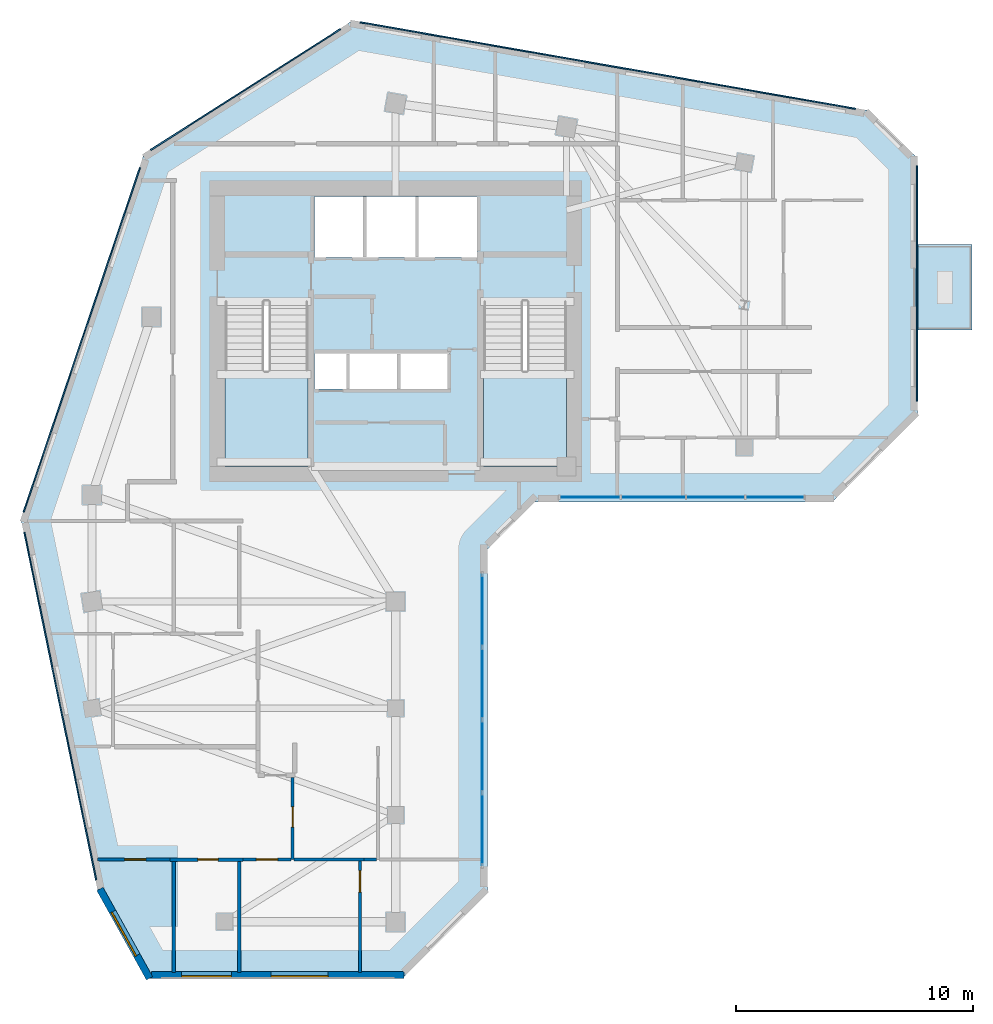
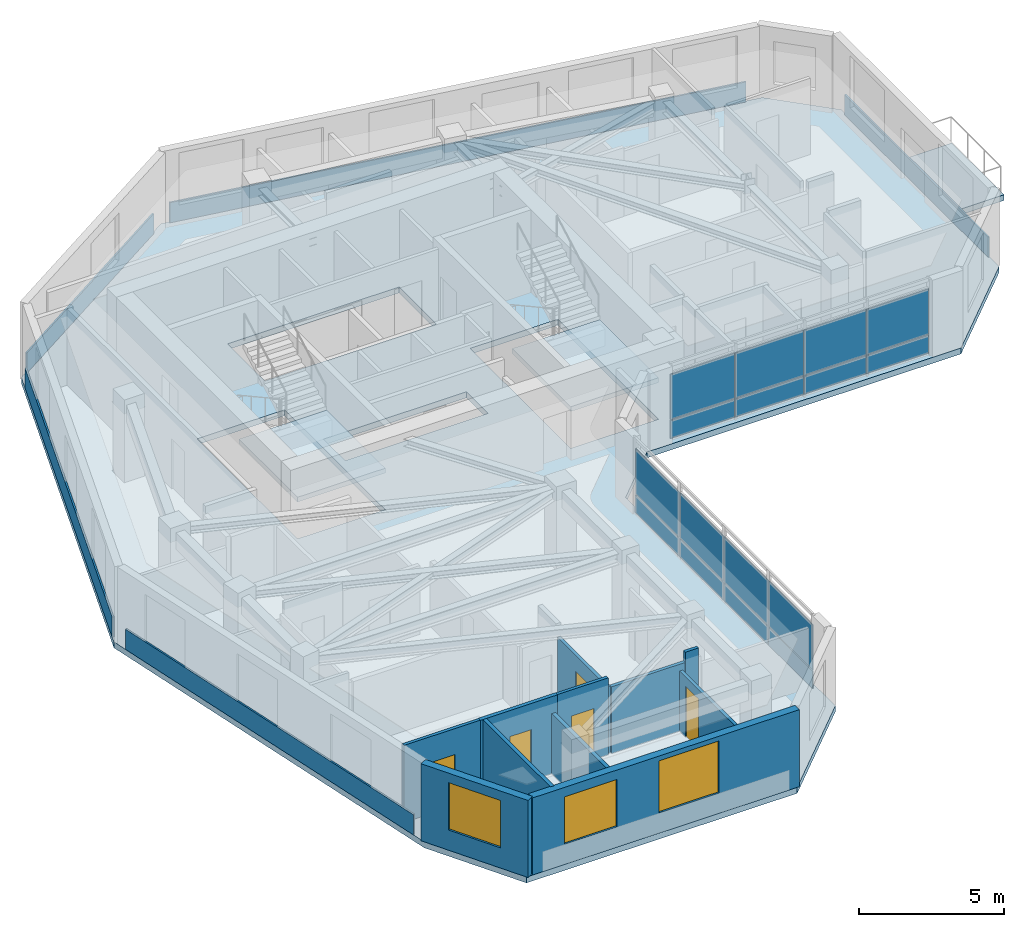
# One storey, part 3 of 10: 21 plates, 11 walls, 5 doors, 4 slabs, 3 windows, 8 openings, 4 elements without a shape of their own.
"""IFC4 building model written with IfcOpenShell, lengths in metres."""

from ifc_helpers import new_model, si_unit, direction, frame, frame_2d, origin, place, context, subcontext, project, spatial, polyline, rectangle, outline, extrude, source, transform, mapped, material, layer, layer_set, type_object, element, fill, aggregate, save


model = new_model("IFC4")

# Units and contexts
model_context = context("Model", 3, precision=1e-05, world=origin(), true_north=direction((0.0, 1.0)))
body_context = subcontext(model_context, "Body", "Model", "MODEL_VIEW")
ifc_project = project(units=[si_unit("LENGTHUNIT", "METRE"), si_unit("AREAUNIT", "SQUARE_METRE"), si_unit("VOLUMEUNIT", "CUBIC_METRE"), si_unit("PLANEANGLEUNIT", "RADIAN"), si_unit("MASSUNIT", "GRAM", prefix="KILO")], contexts=[model_context])

# Site, building, storey
site_placement = place(None, origin())
site = spatial("IfcSite", under=ifc_project, at=site_placement, CompositionType="ELEMENT")
building_placement = place(site_placement, origin())
building = spatial("IfcBuilding", under=site, at=building_placement, Name="Calvemar Wedge Station Tower", CompositionType="ELEMENT")
storey_placement = place(building_placement, frame((0.0, 0.0, 221.89990234375)))
storey = spatial("IfcBuildingStorey", under=building, at=storey_placement, Name="L56", CompositionType="ELEMENT", Elevation=221.89990234375)

# Curtain wall, plates
ifc_material_1 = material(Name="Anodised aluminium 6063-T6", Category="aluminium")
curtain_wall_type = type_object("IfcCurtainWallType", Name="CW3", PredefinedType="NOTDEFINED", material=ifc_material_1)
curtain_wall_1_placement = place(storey_placement, origin())
curtain_wall_1 = element("IfcCurtainWall", 1, at=curtain_wall_1_placement, inside=storey, type_object=curtain_wall_type, Name="Storey L56 CW3 Recessed Unitised Curtain Wall 4", PredefinedType="NOTDEFINED")
ifc_material_2 = material(Name="Low-E laminated insulated glass", Category="glass")
ifc_layer_1 = layer(ifc_material_2, 0.028076171875)
ifc_layer_set_1 = layer_set([ifc_layer_1], Name="Low-E laminated insulated glass")
plate_type_1 = type_object("IfcPlateType", Name="CW3-GLZ", PredefinedType="CURTAIN_PANEL", material=ifc_layer_set_1)
plate_1_placement = place(storey_placement, frame((27.4541015625, 17.380126953125, 0.8701171875), z_axis=(0.0, 0.0, 1.0), x_axis=(0.0, 1.0, 0.0)))
plate_1 = element("IfcPlate", 2, at=plate_1_placement, type_object=plate_type_1, Name="CW3 vision glass panel 1", PredefinedType="CURTAIN_PANEL", context=body_context, shape_type="SweptSolid", body=[
    extrude(rectangle(XDim=3.036865234375, YDim=0.028076171875, at=frame_2d((1.5185546875, 0.0))), origin(), (0.0, 0.0, 1.0), 1.909912109375),
])
plate_2_placement = place(storey_placement, frame((27.4541015625, 20.453125, 0.8701171875), z_axis=(0.0, 0.0, 1.0), x_axis=(0.0, 1.0, 0.0)))
plate_2 = element("IfcPlate", 3, at=plate_2_placement, type_object=plate_type_1, Name="CW3 vision glass panel 2", PredefinedType="CURTAIN_PANEL", context=body_context, shape_type="SweptSolid", body=[
    extrude(rectangle(XDim=3.036865234375, YDim=0.028076171875, at=frame_2d((1.5185546875, 0.0))), origin(), (0.0, 0.0, 1.0), 1.909912109375),
])
plate_3_placement = place(storey_placement, frame((27.4541015625, 23.526123046875, 0.8701171875), z_axis=(0.0, 0.0, 1.0), x_axis=(0.0, 1.0, 0.0)))
plate_3 = element("IfcPlate", 4, at=plate_3_placement, type_object=plate_type_1, Name="CW3 vision glass panel 3", PredefinedType="CURTAIN_PANEL", context=body_context, shape_type="SweptSolid", body=[
    extrude(rectangle(XDim=3.036865234375, YDim=0.028076171875, at=frame_2d((1.5185546875, 0.0))), origin(), (0.0, 0.0, 1.0), 1.909912109375),
])
plate_4_placement = place(storey_placement, frame((27.4541015625, 26.59912109375, 0.8701171875), z_axis=(0.0, 0.0, 1.0), x_axis=(0.0, 1.0, 0.0)))
plate_4 = element("IfcPlate", 5, at=plate_4_placement, type_object=plate_type_1, Name="CW3 vision glass panel 4", PredefinedType="CURTAIN_PANEL", context=body_context, shape_type="SweptSolid", body=[
    extrude(rectangle(XDim=3.036865234375, YDim=0.028076171875, at=frame_2d((1.5185546875, 0.0))), origin(), (0.0, 0.0, 1.0), 1.909912109375),
])

curtain_wall_2_placement = place(storey_placement, origin())
curtain_wall_2 = element("IfcCurtainWall", 6, at=curtain_wall_2_placement, inside=storey, type_object=curtain_wall_type, Name="Storey L56 CW3 Recessed Unitised Curtain Wall 6", PredefinedType="NOTDEFINED")
plate_5_placement = place(storey_placement, frame((30.719970703125, 32.902099609375, 0.8701171875), z_axis=(0.0, 0.0, 1.0), x_axis=(1.0, 0.0, 0.0)))
plate_5 = element("IfcPlate", 7, at=plate_5_placement, type_object=plate_type_1, Name="CW3 vision glass panel 1", PredefinedType="CURTAIN_PANEL", context=body_context, shape_type="SweptSolid", body=[
    extrude(rectangle(XDim=2.552001953125, YDim=0.028076171875, at=frame_2d((1.27587890625, 0.0))), origin(), (0.0, 0.0, 1.0), 1.909912109375),
])
plate_6_placement = place(storey_placement, frame((33.30810546875, 32.902099609375, 0.8701171875), z_axis=(0.0, 0.0, 1.0), x_axis=(1.0, 0.0, 0.0)))
plate_6 = element("IfcPlate", 8, at=plate_6_placement, type_object=plate_type_1, Name="CW3 vision glass panel 2", PredefinedType="CURTAIN_PANEL", context=body_context, shape_type="SweptSolid", body=[
    extrude(rectangle(XDim=2.7138671875, YDim=0.028076171875, at=frame_2d((1.35693359375, 0.0))), origin(), (0.0, 0.0, 1.0), 1.909912109375),
])
plate_7_placement = place(storey_placement, frame((36.05810546875, 32.902099609375, 0.8701171875), z_axis=(0.0, 0.0, 1.0), x_axis=(1.0, 0.0, 0.0)))
plate_7 = element("IfcPlate", 9, at=plate_7_placement, type_object=plate_type_1, Name="CW3 vision glass panel 3", PredefinedType="CURTAIN_PANEL", context=body_context, shape_type="SweptSolid", body=[
    extrude(rectangle(XDim=2.462890625, YDim=0.028076171875, at=frame_2d((1.2314453125, 0.0))), origin(), (0.0, 0.0, 1.0), 1.909912109375),
])
plate_8_placement = place(storey_placement, frame((38.556884765625, 32.902099609375, 0.8701171875), z_axis=(0.0, 0.0, 1.0), x_axis=(1.0, 0.0, 0.0)))
plate_8 = element("IfcPlate", 10, at=plate_8_placement, type_object=plate_type_1, Name="CW3 vision glass panel 4", PredefinedType="CURTAIN_PANEL", context=body_context, shape_type="SweptSolid", body=[
    extrude(rectangle(XDim=2.463134765625, YDim=0.028076171875, at=frame_2d((1.2314453125, 0.0))), origin(), (0.0, 0.0, 1.0), 1.909912109375),
])

# Plate
ifc_material_3 = material(Name="Oxidized bronze aluminium spandrel panel 5005-H24", Category="aluminium")
ifc_layer_2 = layer(ifc_material_3, 0.0400390625)
ifc_layer_set_2 = layer_set([ifc_layer_2], Name="Oxidized bronze aluminium spandrel panel 5005-H24")
plate_type_2 = type_object("IfcPlateType", Name="CW3-SPD", PredefinedType="SHEET", material=ifc_layer_set_2)
plate_9_placement = place(storey_placement, frame((27.4541015625, 17.380126953125, 0.080078125), z_axis=(0.0, 0.0, 1.0), x_axis=(0.0, 1.0, 0.0)))
plate_9 = element("IfcPlate", 11, at=plate_9_placement, type_object=plate_type_2, Name="CW3 bronze spandrel panel 1", PredefinedType="SHEET", context=body_context, shape_type="SweptSolid", body=[
    extrude(rectangle(XDim=3.036865234375, YDim=0.0400390625, at=frame_2d((1.5185546875, 0.0))), origin(), (0.0, 0.0, 1.0), 0.75),
])

plate_10_placement = place(storey_placement, frame((27.4541015625, 20.453125, 0.080078125), z_axis=(0.0, 0.0, 1.0), x_axis=(0.0, 1.0, 0.0)))
plate_10 = element("IfcPlate", 12, at=plate_10_placement, type_object=plate_type_2, Name="CW3 bronze spandrel panel 2", PredefinedType="SHEET", context=body_context, shape_type="SweptSolid", body=[
    extrude(rectangle(XDim=3.036865234375, YDim=0.0400390625, at=frame_2d((1.5185546875, 0.0))), origin(), (0.0, 0.0, 1.0), 0.75),
])

plate_11_placement = place(storey_placement, frame((27.4541015625, 23.526123046875, 0.080078125), z_axis=(0.0, 0.0, 1.0), x_axis=(0.0, 1.0, 0.0)))
plate_11 = element("IfcPlate", 13, at=plate_11_placement, type_object=plate_type_2, Name="CW3 bronze spandrel panel 3", PredefinedType="SHEET", context=body_context, shape_type="SweptSolid", body=[
    extrude(rectangle(XDim=3.036865234375, YDim=0.0400390625, at=frame_2d((1.5185546875, 0.0))), origin(), (0.0, 0.0, 1.0), 0.75),
])

plate_12_placement = place(storey_placement, frame((27.4541015625, 26.59912109375, 0.080078125), z_axis=(0.0, 0.0, 1.0), x_axis=(0.0, 1.0, 0.0)))
plate_12 = element("IfcPlate", 14, at=plate_12_placement, type_object=plate_type_2, Name="CW3 bronze spandrel panel 4", PredefinedType="SHEET", context=body_context, shape_type="SweptSolid", body=[
    extrude(rectangle(XDim=3.036865234375, YDim=0.0400390625, at=frame_2d((1.5185546875, 0.0))), origin(), (0.0, 0.0, 1.0), 0.75),
])

aggregate(curtain_wall_1, [plate_9, plate_1, plate_10, plate_2, plate_11, plate_3, plate_12, plate_4])

plate_13_placement = place(storey_placement, frame((30.719970703125, 32.902099609375, 0.080078125), z_axis=(0.0, 0.0, 1.0), x_axis=(1.0, 0.0, 0.0)))
plate_13 = element("IfcPlate", 15, at=plate_13_placement, type_object=plate_type_2, Name="CW3 bronze spandrel panel 1", PredefinedType="SHEET", context=body_context, shape_type="SweptSolid", body=[
    extrude(rectangle(XDim=2.552001953125, YDim=0.0400390625, at=frame_2d((1.27587890625, 0.0))), origin(), (0.0, 0.0, 1.0), 0.75),
])

plate_14_placement = place(storey_placement, frame((33.30810546875, 32.902099609375, 0.080078125), z_axis=(0.0, 0.0, 1.0), x_axis=(1.0, 0.0, 0.0)))
plate_14 = element("IfcPlate", 16, at=plate_14_placement, type_object=plate_type_2, Name="CW3 bronze spandrel panel 2", PredefinedType="SHEET", context=body_context, shape_type="SweptSolid", body=[
    extrude(rectangle(XDim=2.7138671875, YDim=0.0400390625, at=frame_2d((1.35693359375, 0.0))), origin(), (0.0, 0.0, 1.0), 0.75),
])

plate_15_placement = place(storey_placement, frame((36.05810546875, 32.902099609375, 0.080078125), z_axis=(0.0, 0.0, 1.0), x_axis=(1.0, 0.0, 0.0)))
plate_15 = element("IfcPlate", 17, at=plate_15_placement, type_object=plate_type_2, Name="CW3 bronze spandrel panel 3", PredefinedType="SHEET", context=body_context, shape_type="SweptSolid", body=[
    extrude(rectangle(XDim=2.462890625, YDim=0.0400390625, at=frame_2d((1.2314453125, 0.0))), origin(), (0.0, 0.0, 1.0), 0.75),
])

plate_16_placement = place(storey_placement, frame((38.556884765625, 32.902099609375, 0.080078125), z_axis=(0.0, 0.0, 1.0), x_axis=(1.0, 0.0, 0.0)))
plate_16 = element("IfcPlate", 18, at=plate_16_placement, type_object=plate_type_2, Name="CW3 bronze spandrel panel 4", PredefinedType="SHEET", context=body_context, shape_type="SweptSolid", body=[
    extrude(rectangle(XDim=2.463134765625, YDim=0.0400390625, at=frame_2d((1.2314453125, 0.0))), origin(), (0.0, 0.0, 1.0), 0.75),
])

aggregate(curtain_wall_2, [plate_13, plate_5, plate_14, plate_6, plate_15, plate_7, plate_16, plate_8])

# Plates
ifc_material_4 = material(Name="Precast concrete C45", Category="concrete")
ifc_layer_3 = layer(ifc_material_4, 0.06494140625)
ifc_layer_set_3 = layer_set([ifc_layer_3], Name="Precast concrete C45")
plate_type_3 = type_object("IfcPlateType", Name="PL-GFRC-FIN", PredefinedType="USERDEFINED", material=ifc_layer_set_3)
plate_17_placement = place(storey_placement, frame((45.77001953125, 36.94921875, 0.0), z_axis=(0.0, 0.0, 1.0), x_axis=(0.0, 1.0, 0.0)))
element("IfcPlate", 19, at=plate_17_placement, inside=storey, type_object=plate_type_3, Name="Storey L56 Oxidized-Bronze GFRC Spandrel Cladding 8", ObjectType="CLADDING PANEL", PredefinedType="USERDEFINED", context=body_context, shape_type="SweptSolid", body=[
    extrude(rectangle(XDim=9.9306640625, YDim=0.06494140625, at=frame_2d((4.96533203125, 0.0))), origin(), (0.0, 0.0, 1.0), 0.85009765625),
])
plate_18_placement = place(storey_placement, frame((43.18798828125, 49.268310546875, 0.0), z_axis=(0.0, 0.0, 1.0), x_axis=(-0.985082617158, 0.172082065807, 0.0)))
element("IfcPlate", 20, at=plate_18_placement, inside=storey, type_object=plate_type_3, Name="Storey L56 Oxidized-Bronze GFRC Spandrel Cladding 10", ObjectType="CLADDING PANEL", PredefinedType="USERDEFINED", context=body_context, shape_type="SweptSolid", body=[
    extrude(rectangle(XDim=21.2060546875, YDim=0.06494140625, at=frame_2d((10.60302734375, 0.0))), origin(), (0.0, 0.0, 1.0), 0.85009765625),
])
plate_19_placement = place(storey_placement, frame((21.471923828125, 52.62841796875, 0.0), z_axis=(0.0, 0.0, 1.0), x_axis=(-0.843661487732, -0.536875492193, 0.0)))
element("IfcPlate", 21, at=plate_19_placement, inside=storey, type_object=plate_type_3, Name="Storey L56 Oxidized-Bronze GFRC Spandrel Cladding 11", ObjectType="CLADDING PANEL", PredefinedType="USERDEFINED", context=body_context, shape_type="SweptSolid", body=[
    extrude(rectangle(XDim=9.482666015625, YDim=0.06494140625, at=frame_2d((4.7412109375, 0.0))), origin(), (0.0, 0.0, 1.0), 0.85009765625),
])
plate_20_placement = place(storey_placement, frame((13.02685546875, 46.793212890625, 0.0), z_axis=(0.0, 0.0, 1.0), x_axis=(-0.319927299225, -0.947442094912, 0.0)))
element("IfcPlate", 22, at=plate_20_placement, inside=storey, type_object=plate_type_3, Name="Storey L56 Oxidized-Bronze GFRC Spandrel Cladding 12", ObjectType="CLADDING PANEL", PredefinedType="USERDEFINED", context=body_context, shape_type="SweptSolid", body=[
    extrude(rectangle(XDim=15.333251953125, YDim=0.06494140625, at=frame_2d((7.66650390625, 0.0))), origin(), (0.0, 0.0, 1.0), 0.85009765625),
])
plate_21_placement = place(storey_placement, frame((8.15087890625, 31.41796875, 0.0), z_axis=(0.0, 0.0, 1.0), x_axis=(0.202320768525, -0.979319307797, 0.0)))
element("IfcPlate", 23, at=plate_21_placement, inside=storey, type_object=plate_type_3, Name="Storey L56 Oxidized-Bronze GFRC Spandrel Cladding 13", ObjectType="CLADDING PANEL", PredefinedType="USERDEFINED", context=body_context, shape_type="SweptSolid", body=[
    extrude(rectangle(XDim=14.965576171875, YDim=0.06494140625, at=frame_2d((7.48291015625, 0.0))), origin(), (0.0, 0.0, 1.0), 0.85009765625),
])

# Stair, slab
ifc_material_5 = material(Name="Concrete C45", Category="concrete")
stair_type = type_object("IfcStairType", Name="ST-TYPE-3500", PredefinedType="HALF_TURN_STAIR", material=ifc_material_5)
stair_1_placement = place(storey_placement, origin())
stair_1 = element("IfcStair", 24, at=stair_1_placement, inside=storey, type_object=stair_type, Name="L56 Pressurized Core Exit Stair ST-C1", PredefinedType="HALF_TURN_STAIR")
ifc_layer_4 = layer(ifc_material_5, 0.199951171875)
ifc_layer_set_4 = layer_set([ifc_layer_4], Name="Concrete C45")
slab_type_1 = type_object("IfcSlabType", Name="SL-STAIR-LND-200", PredefinedType="LANDING", material=ifc_layer_set_4)
slab_1_placement = place(storey_placement, frame((0.0, 0.0, 1.550048828125)))
slab_1 = element("IfcSlab", 25, at=slab_1_placement, type_object=slab_type_1, Name="ST-C1 landing 1", PredefinedType="LANDING", context=body_context, shape_type="SweptSolid", body=[
    extrude(outline(polyline([(16.60009765625, 38.25), (16.60009765625, 34.199951171875), (20.10009765625, 34.199951171875), (20.10009765625, 38.25), (16.60009765625, 38.25)])), origin(), (0.0, 0.0, 1.0), 0.199951171875),
])
aggregate(stair_1, [slab_1])

stair_2_placement = place(storey_placement, origin())
stair_2 = element("IfcStair", 26, at=stair_2_placement, inside=storey, type_object=stair_type, Name="L56 Pressurized Core Exit Stair ST-C2", PredefinedType="HALF_TURN_STAIR")
slab_2_placement = place(storey_placement, frame((0.0, 0.0, 1.550048828125)))
slab_2 = element("IfcSlab", 27, at=slab_2_placement, type_object=slab_type_1, Name="ST-C2 landing 1", PredefinedType="LANDING", context=body_context, shape_type="SweptSolid", body=[
    extrude(outline(polyline([(27.5, 38.25), (27.5, 34.199951171875), (31.0, 34.199951171875), (31.0, 38.25), (27.5, 38.25)])), origin(), (0.0, 0.0, 1.0), 0.199951171875),
])
aggregate(stair_2, [slab_2])

# Slabs
ifc_layer_5 = layer(ifc_material_5, 0.239990234375)
ifc_layer_set_5 = layer_set([ifc_layer_5], Name="Concrete C45")
slab_type_2 = type_object("IfcSlabType", Name="SL-TERR-240", PredefinedType="FLOOR", material=ifc_layer_set_5)
slab_3_placement = place(storey_placement, frame((0.0, 0.0, -0.239990234375)))
element("IfcSlab", 28, at=slab_3_placement, inside=storey, type_object=slab_type_2, Name="Storey L56 Planted Spiral Terrace Slab", PredefinedType="FLOOR", context=body_context, shape_type="SweptSolid", body=[
    extrude(outline(polyline([(45.800048828125, 39.94189453125), (48.10009765625, 39.94189453125), (48.10009765625, 43.5419921875), (45.800048828125, 43.5419921875), (45.800048828125, 39.94189453125)])), origin(), (0.0, 0.0, 1.0), 0.239990234375),
])
ifc_material_6 = material(Name="Concrete C50", Category="concrete")
ifc_layer_6 = layer(ifc_material_6, 0.25)
ifc_layer_set_6 = layer_set([ifc_layer_6], Name="Concrete C50")
slab_type_3 = type_object("IfcSlabType", Name="SL-TYP-250", PredefinedType="FLOOR", material=ifc_layer_set_6)
slab_4_placement = place(storey_placement, frame((0.0, 0.0, -0.25)))
element("IfcSlab", 29, at=slab_4_placement, inside=storey, type_object=slab_type_3, Name="Storey L56 Structural Floor Slab", PredefinedType="FLOOR", context=body_context, shape_type="SweptSolid", body=[
    extrude(outline(polyline([(8.0, 32.0), (11.263916015625, 16.199951171875), (13.263916015625, 12.60009765625), (24.06396484375, 12.60009765625), (27.6640625, 16.199951171875), (27.6640625, 30.69189453125), (29.6640625, 32.69189453125), (42.199951171875, 32.69189453125), (45.800048828125, 36.2919921875), (45.800048828125, 47.19189453125), (43.800048828125, 49.19189453125), (22.0, 53.0), (13.199951171875, 47.39990234375), (8.0, 32.0)]), holes=[polyline([(20.10009765625, 34.199951171875), (20.10009765625, 41.14990234375), (16.60009765625, 41.14990234375), (16.60009765625, 34.199951171875), (20.10009765625, 34.199951171875)]), polyline([(27.5, 34.199951171875), (31.0, 34.199951171875), (31.0, 41.14990234375), (27.5, 41.14990234375), (27.5, 34.199951171875)]), polyline([(21.800048828125, 37.449951171875), (23.929931640625, 37.449951171875), (23.93994140625, 37.449951171875), (26.080078125, 37.449951171875), (26.080078125, 38.949951171875), (23.93994140625, 38.949951171875), (23.929931640625, 38.949951171875), (21.800048828125, 38.949951171875), (21.7900390625, 38.949951171875), (20.3798828125, 38.949951171875), (20.3798828125, 37.449951171875), (21.7900390625, 37.449951171875), (21.800048828125, 37.449951171875)]), polyline([(27.219970703125, 43.0), (27.219970703125, 45.580078125), (20.3798828125, 45.580078125), (20.3798828125, 43.0), (27.219970703125, 43.0)])]), origin(), (0.0, 0.0, 1.0), 0.25),
])

# Wall, opening, window
ifc_layer_7 = layer(ifc_material_4, 0.300048828125)
ifc_layer_set_7 = layer_set([ifc_layer_7], Name="Precast concrete C45")
wall_type_1 = type_object("IfcWallType", Name="W-EXT-GFRC-300", PredefinedType="SOLIDWALL", material=ifc_layer_set_7)
wall_1_placement = place(storey_placement, frame((11.33349609375, 16.3837890625, 0.0), z_axis=(0.0, 0.0, 1.0), x_axis=(0.485633305139, -0.874162623852, 0.0)))
wall_1 = element("IfcWall", 30, at=wall_1_placement, inside=storey, type_object=wall_type_1, Name="Storey L56 Bronze GFRC Exterior Wall 1", PredefinedType="SOLIDWALL", context=body_context, shape_type="SweptSolid", body=[
    extrude(rectangle(XDim=4.306884765625, YDim=0.300048828125, at=frame_2d((2.1533203125, 0.0))), origin(), (0.0, 0.0, 1.0), 3.25),
])
shared_shape_1 = source(origin(), body_context, "Body", "SweptSolid", [
    extrude(rectangle(XDim=2.10009765625, YDim=2.0, at=frame_2d((1.050048828125, 1.0))), frame((0.0, 0.16015625, 0.0), z_axis=(0.0, -1.0, 0.0), x_axis=(1.0, 0.0, 0.0)), (0.0, 0.0, 1.0), 0.320068359375),
])
opening_1_placement = place(wall_1_placement, frame((1.10400390625, 0.0, 0.85009765625)))
opening_1 = element("IfcOpeningElement", 31, at=opening_1_placement, cuts=wall_1, Name="Opening W4", PredefinedType="OPENING", context=body_context, shape_type="MappedRepresentation", body=[
    mapped(shared_shape_1, transform((0.0, 0.0, 0.0), scale=1.0)),
])
window_type_1 = type_object("IfcWindowType", Name="WIN-EXT-4", PartitioningType="SINGLE_PANEL", PredefinedType="WINDOW", material=ifc_material_2)
shared_shape_2 = source(origin(), body_context, "Body", "SweptSolid", [
    extrude(rectangle(XDim=2.10009765625, YDim=2.0, at=frame_2d((1.050048828125, 1.0))), frame((0.0, -0.014892578125, 0.0), z_axis=(0.0, -1.0, 0.0), x_axis=(1.0, 0.0, 0.0)), (0.0, 0.0, 1.0), 0.06005859375),
])
window_1_placement = place(opening_1_placement, origin())
window_1 = element("IfcWindow", 32, at=window_1_placement, inside=storey, type_object=window_type_1, Name="Storey L56 Recessed Window 1.1", OverallHeight=2.0, OverallWidth=2.10009765625, PartitioningType="SINGLE_PANEL", PredefinedType="WINDOW", context=body_context, shape_type="MappedRepresentation", body=[
    mapped(shared_shape_2, transform((0.0, 0.0, 0.0), scale=1.0)),
])
fill(opening_1, window_1)

# Wall, openings, windows
wall_2_placement = place(storey_placement, frame((13.510009765625, 12.75, 0.0), z_axis=(0.0, 0.0, 1.0), x_axis=(1.0, 0.0, 0.0)))
wall_2 = element("IfcWall", 33, at=wall_2_placement, inside=storey, type_object=wall_type_1, Name="Storey L56 Bronze GFRC Exterior Wall 2", PredefinedType="SOLIDWALL", context=body_context, shape_type="SweptSolid", body=[
    extrude(rectangle(XDim=10.641845703125, YDim=0.300048828125, at=frame_2d((5.32080078125, 0.0))), origin(), (0.0, 0.0, 1.0), 3.25),
])
opening_2_placement = place(wall_2_placement, frame((1.264892578125, 0.0, 0.85009765625)))
opening_2 = element("IfcOpeningElement", 34, at=opening_2_placement, cuts=wall_2, Name="Opening W4", PredefinedType="OPENING", context=body_context, shape_type="MappedRepresentation", body=[
    mapped(shared_shape_1, transform((0.0, 0.0, 0.0), scale=1.0)),
])
shared_shape_3 = source(origin(), body_context, "Body", "SweptSolid", [
    extrude(rectangle(XDim=2.39990234375, YDim=2.199951171875, at=frame_2d((1.199951171875, 1.10009765625))), frame((0.0, 0.16015625, 0.0), z_axis=(0.0, -1.0, 0.0), x_axis=(1.0, 0.0, 0.0)), (0.0, 0.0, 1.0), 0.320068359375),
])
opening_3_placement = place(wall_2_placement, frame((5.0400390625, 0.0, 0.85009765625)))
opening_3 = element("IfcOpeningElement", 35, at=opening_3_placement, cuts=wall_2, Name="Opening W1", PredefinedType="OPENING", context=body_context, shape_type="MappedRepresentation", body=[
    mapped(shared_shape_3, transform((0.0, 0.0, 0.0), scale=1.0)),
])
window_2_placement = place(opening_2_placement, origin())
window_2 = element("IfcWindow", 36, at=window_2_placement, inside=storey, type_object=window_type_1, Name="Storey L56 Recessed Window 2.1", OverallHeight=2.0, OverallWidth=2.10009765625, PartitioningType="SINGLE_PANEL", PredefinedType="WINDOW", context=body_context, shape_type="MappedRepresentation", body=[
    mapped(shared_shape_2, transform((0.0, 0.0, 0.0), scale=1.0)),
])
fill(opening_2, window_2)
window_type_2 = type_object("IfcWindowType", Name="WIN-EXT-1", PartitioningType="SINGLE_PANEL", PredefinedType="WINDOW", material=ifc_material_2)
shared_shape_4 = source(origin(), body_context, "Body", "SweptSolid", [
    extrude(rectangle(XDim=2.39990234375, YDim=2.199951171875, at=frame_2d((1.199951171875, 1.10009765625))), frame((0.0, -0.014892578125, 0.0), z_axis=(0.0, -1.0, 0.0), x_axis=(1.0, 0.0, 0.0)), (0.0, 0.0, 1.0), 0.06005859375),
])
window_3_placement = place(opening_3_placement, origin())
window_3 = element("IfcWindow", 37, at=window_3_placement, inside=storey, type_object=window_type_2, Name="Storey L56 Recessed Window 2.2", OverallHeight=2.199951171875, OverallWidth=2.39990234375, PartitioningType="SINGLE_PANEL", PredefinedType="WINDOW", context=body_context, shape_type="MappedRepresentation", body=[
    mapped(shared_shape_4, transform((0.0, 0.0, 0.0), scale=1.0)),
])
fill(opening_3, window_3)

# Wall, opening, door
ifc_material_7 = material(Name="Insulated acoustic gypsum stud partition")
ifc_layer_8 = layer(ifc_material_7, 0.125)
ifc_layer_set_8 = layer_set([ifc_layer_8], Name="Insulated acoustic gypsum stud partition")
wall_type_2 = type_object("IfcWallType", Name="W-PART-125", PredefinedType="PARTITIONING", material=ifc_layer_set_8)
wall_3_placement = place(storey_placement, frame((19.45703125, 21.089111328125, 0.0), z_axis=(0.0, 0.0, 1.0), x_axis=(0.0, -1.0, 0.0)))
wall_3 = element("IfcWall", 38, at=wall_3_placement, inside=storey, type_object=wall_type_2, Name="Storey L56 Interior Partition WL-L56-055", PredefinedType="PARTITIONING", context=body_context, shape_type="SweptSolid", body=[
    extrude(rectangle(XDim=3.465087890625, YDim=0.125, at=frame_2d((1.732421875, 0.0))), origin(), (0.0, 0.0, 1.0), 2.822021484375),
])
shared_shape_5 = source(origin(), body_context, "Body", "SweptSolid", [
    extrude(rectangle(XDim=0.85009765625, YDim=2.14990234375, at=frame_2d((0.425048828125, 1.074951171875))), frame((0.0, 0.072509765625, 0.0), z_axis=(0.0, -1.0, 0.0), x_axis=(1.0, 0.0, 0.0)), (0.0, 0.0, 1.0), 0.14501953125),
])
opening_4_placement = place(wall_3_placement, frame((1.2470703125, 0.0, 0.0)))
opening_4 = element("IfcOpeningElement", 39, at=opening_4_placement, cuts=wall_3, Name="Opening D-02", PredefinedType="OPENING", context=body_context, shape_type="MappedRepresentation", body=[
    mapped(shared_shape_5, transform((0.0, 0.0, 0.0), scale=1.0)),
])
ifc_material_8 = material(Name="Moisture-sealed bathroom hardwood swing door", Category="wood")
door_type_1 = type_object("IfcDoorType", Name="DR-WET-850", OperationType="NOTDEFINED", PredefinedType="DOOR", material=ifc_material_8)
shared_shape_6 = source(origin(), body_context, "Body", "SweptSolid", [
    extrude(rectangle(XDim=0.85009765625, YDim=2.14990234375, at=frame_2d((0.425048828125, 1.074951171875))), frame((0.0, 0.02490234375, 0.0), z_axis=(0.0, -1.0, 0.0), x_axis=(1.0, 0.0, 0.0)), (0.0, 0.0, 1.0), 0.050048828125),
])
door_1_placement = place(opening_4_placement, origin())
door_1 = element("IfcDoor", 40, at=door_1_placement, inside=storey, type_object=door_type_1, Name="L56 Kitchen Door", OperationType="SINGLE_SWING_LEFT", OverallHeight=2.14990234375, OverallWidth=0.85009765625, PredefinedType="DOOR", context=body_context, shape_type="MappedRepresentation", body=[
    mapped(shared_shape_6, transform((0.0, 0.0, 0.0), scale=1.0)),
])
fill(opening_4, door_1)

wall_4_placement = place(storey_placement, frame((14.2880859375, 17.6240234375, 0.0), z_axis=(0.0, 0.0, 1.0), x_axis=(-1.0, 0.0, 0.0)))
wall_4 = element("IfcWall", 41, at=wall_4_placement, inside=storey, type_object=wall_type_2, Name="Storey L56 Interior Partition WL-L56-057", PredefinedType="PARTITIONING", context=body_context, shape_type="SweptSolid", body=[
    extrude(rectangle(XDim=3.047607421875, YDim=0.125, at=frame_2d((1.52392578125, 0.0))), origin(), (0.0, 0.0, 1.0), 3.25),
])
shared_shape_7 = source(origin(), body_context, "Body", "SweptSolid", [
    extrude(rectangle(XDim=0.89990234375, YDim=2.14990234375, at=frame_2d((0.449951171875, 1.074951171875))), frame((0.0, 0.072509765625, 0.0), z_axis=(0.0, -1.0, 0.0), x_axis=(1.0, 0.0, 0.0)), (0.0, 0.0, 1.0), 0.14501953125),
])
opening_5_placement = place(wall_4_placement, frame((1.0126953125, 0.0, 0.0)))
opening_5 = element("IfcOpeningElement", 42, at=opening_5_placement, cuts=wall_4, Name="Opening D-01", PredefinedType="OPENING", context=body_context, shape_type="MappedRepresentation", body=[
    mapped(shared_shape_7, transform((0.0, 0.0, 0.0), scale=1.0)),
])
ifc_material_9 = material(Name="Architectural hardwood acoustic swing door", Category="wood")
door_type_2 = type_object("IfcDoorType", Name="DR-INT-900", OperationType="NOTDEFINED", PredefinedType="DOOR", material=ifc_material_9)
shared_shape_8 = source(origin(), body_context, "Body", "SweptSolid", [
    extrude(rectangle(XDim=0.89990234375, YDim=2.14990234375, at=frame_2d((0.449951171875, 1.074951171875))), frame((0.0, 0.02490234375, 0.0), z_axis=(0.0, -1.0, 0.0), x_axis=(1.0, 0.0, 0.0)), (0.0, 0.0, 1.0), 0.050048828125),
])
door_2_placement = place(opening_5_placement, origin())
door_2 = element("IfcDoor", 43, at=door_2_placement, inside=storey, type_object=door_type_2, Name="L56 Bedroom Door", OperationType="SINGLE_SWING_LEFT", OverallHeight=2.14990234375, OverallWidth=0.89990234375, PredefinedType="DOOR", context=body_context, shape_type="MappedRepresentation", body=[
    mapped(shared_shape_8, transform((0.0, 0.0, 0.0), scale=1.0)),
])
fill(opening_5, door_2)

wall_5_placement = place(storey_placement, frame((19.390380859375, 17.6240234375, 0.0), z_axis=(0.0, 0.0, 1.0), x_axis=(-1.0, 0.0, 0.0)))
wall_5 = element("IfcWall", 44, at=wall_5_placement, inside=storey, type_object=wall_type_2, Name="Storey L56 Interior Partition WL-L56-058", PredefinedType="PARTITIONING", context=body_context, shape_type="SweptSolid", body=[
    extrude(rectangle(XDim=2.0283203125, YDim=0.125, at=frame_2d((1.01416015625, 0.0))), origin(), (0.0, 0.0, 1.0), 3.25),
])
opening_6_placement = place(wall_5_placement, frame((0.564208984375, 0.0, 0.0)))
opening_6 = element("IfcOpeningElement", 45, at=opening_6_placement, cuts=wall_5, Name="Opening D-01", PredefinedType="OPENING", context=body_context, shape_type="MappedRepresentation", body=[
    mapped(shared_shape_7, transform((0.0, 0.0, 0.0), scale=1.0)),
])
door_3_placement = place(opening_6_placement, origin())
door_3 = element("IfcDoor", 46, at=door_3_placement, inside=storey, type_object=door_type_2, Name="L56 Master Bedroom Door", OperationType="SINGLE_SWING_RIGHT", OverallHeight=2.14990234375, OverallWidth=0.89990234375, PredefinedType="DOOR", context=body_context, shape_type="MappedRepresentation", body=[
    mapped(shared_shape_8, transform((0.0, 0.0, 0.0), scale=1.0)),
])
fill(opening_6, door_3)

# Walls
wall_6_placement = place(storey_placement, frame((22.4599609375, 17.6240234375, 0.0), z_axis=(0.0, 0.0, 1.0), x_axis=(-1.0, 0.0, 0.0)))
element("IfcWall", 47, at=wall_6_placement, inside=storey, type_object=wall_type_2, Name="Storey L56 Interior Partition WL-L56-059", PredefinedType="PARTITIONING", context=body_context, shape_type="SweptSolid", body=[
    extrude(rectangle(XDim=2.9365234375, YDim=0.125, at=frame_2d((1.46826171875, 0.0))), origin(), (0.0, 0.0, 1.0), 2.822021484375),
])
wall_7_placement = place(storey_placement, frame((22.990478515625, 17.6240234375, 0.0), z_axis=(0.0, 0.0, 1.0), x_axis=(-1.0, 0.0, 0.0)))
element("IfcWall", 48, at=wall_7_placement, inside=storey, type_object=wall_type_2, Name="Storey L56 Interior Partition WL-L56-060", PredefinedType="PARTITIONING", context=body_context, shape_type="SweptSolid", body=[
    extrude(rectangle(XDim=0.528564453125, YDim=0.125, at=frame_2d((0.26416015625, 0.0))), origin(), (0.0, 0.0, 1.0), 3.25),
])

# Wall, opening, door
wall_8_placement = place(storey_placement, frame((22.300048828125, 17.5576171875, 0.0), z_axis=(0.0, 0.0, 1.0), x_axis=(0.0, -1.0, 0.0)))
wall_8 = element("IfcWall", 49, at=wall_8_placement, inside=storey, type_object=wall_type_2, Name="Storey L56 Interior Partition WL-L56-063", PredefinedType="PARTITIONING", context=body_context, shape_type="SweptSolid", body=[
    extrude(rectangle(XDim=4.692626953125, YDim=0.125, at=frame_2d((2.34619140625, 0.0))), origin(), (0.0, 0.0, 1.0), 2.5419921875),
])
opening_7_placement = place(wall_8_placement, frame((0.404296875, 0.0, 0.0)))
opening_7 = element("IfcOpeningElement", 50, at=opening_7_placement, cuts=wall_8, Name="Opening D-01", PredefinedType="OPENING", context=body_context, shape_type="MappedRepresentation", body=[
    mapped(shared_shape_7, transform((0.0, 0.0, 0.0), scale=1.0)),
])
door_4_placement = place(opening_7_placement, origin())
door_4 = element("IfcDoor", 51, at=door_4_placement, inside=storey, type_object=door_type_2, Name="L56 Master Bedroom Door", OperationType="SINGLE_SWING_LEFT", OverallHeight=2.14990234375, OverallWidth=0.89990234375, PredefinedType="DOOR", context=body_context, shape_type="MappedRepresentation", body=[
    mapped(shared_shape_8, transform((0.0, 0.0, 0.0), scale=1.0)),
])
fill(opening_7, door_4)

ifc_material_10 = material(Name="Moisture-resistant acoustic bathroom partition")
ifc_layer_9 = layer(ifc_material_10, 0.14990234375)
ifc_layer_set_9 = layer_set([ifc_layer_9], Name="Moisture-resistant acoustic bathroom partition")
wall_type_3 = type_object("IfcWallType", Name="W-WET-150", PredefinedType="PARTITIONING", material=ifc_layer_set_9)
wall_9_placement = place(storey_placement, frame((17.360107421875, 17.6240234375, 0.0), z_axis=(0.0, 0.0, 1.0), x_axis=(-1.0, 0.0, 0.0)))
wall_9 = element("IfcWall", 52, at=wall_9_placement, inside=storey, type_object=wall_type_3, Name="Storey L56 Interior Partition WL-L56-056", PredefinedType="PARTITIONING", context=body_context, shape_type="SweptSolid", body=[
    extrude(rectangle(XDim=3.070068359375, YDim=0.14990234375, at=frame_2d((1.53515625, 0.0))), origin(), (0.0, 0.0, 1.0), 3.25),
])
shared_shape_9 = source(origin(), body_context, "Body", "SweptSolid", [
    extrude(rectangle(XDim=0.85009765625, YDim=2.14990234375, at=frame_2d((0.425048828125, 1.074951171875))), frame((0.0, 0.0849609375, 0.0), z_axis=(0.0, -1.0, 0.0), x_axis=(1.0, 0.0, 0.0)), (0.0, 0.0, 1.0), 0.169921875),
])
opening_8_placement = place(wall_9_placement, frame((1.046142578125, 0.0, 0.0)))
opening_8 = element("IfcOpeningElement", 53, at=opening_8_placement, cuts=wall_9, Name="Opening D-02", PredefinedType="OPENING", context=body_context, shape_type="MappedRepresentation", body=[
    mapped(shared_shape_9, transform((0.0, 0.0, 0.0), scale=1.0)),
])
door_5_placement = place(opening_8_placement, origin())
door_5 = element("IfcDoor", 54, at=door_5_placement, inside=storey, type_object=door_type_1, Name="L56 Bathroom Door", OperationType="SINGLE_SWING_RIGHT", OverallHeight=2.14990234375, OverallWidth=0.85009765625, PredefinedType="DOOR", context=body_context, shape_type="MappedRepresentation", body=[
    mapped(shared_shape_6, transform((0.0, 0.0, 0.0), scale=1.0)),
])
fill(opening_8, door_5)

# Walls
wall_10_placement = place(storey_placement, frame((14.449951171875, 12.864990234375, 0.0), z_axis=(0.0, 0.0, 1.0), x_axis=(0.0, 1.0, 0.0)))
element("IfcWall", 55, at=wall_10_placement, inside=storey, type_object=wall_type_3, Name="Storey L56 Interior Partition WL-L56-061", PredefinedType="PARTITIONING", context=body_context, shape_type="SweptSolid", body=[
    extrude(rectangle(XDim=4.679931640625, YDim=0.14990234375, at=frame_2d((2.33984375, 0.0))), origin(), (0.0, 0.0, 1.0), 3.25),
])
wall_11_placement = place(storey_placement, frame((17.199951171875, 17.544921875, 0.0), z_axis=(0.0, 0.0, 1.0), x_axis=(0.0, -1.0, 0.0)))
element("IfcWall", 56, at=wall_11_placement, inside=storey, type_object=wall_type_3, Name="Storey L56 Interior Partition WL-L56-062", PredefinedType="PARTITIONING", context=body_context, shape_type="SweptSolid", body=[
    extrude(rectangle(XDim=4.679931640625, YDim=0.14990234375, at=frame_2d((2.33984375, 0.0))), origin(), (0.0, 0.0, 1.0), 2.5419921875),
])

save(model, "model.ifc")
